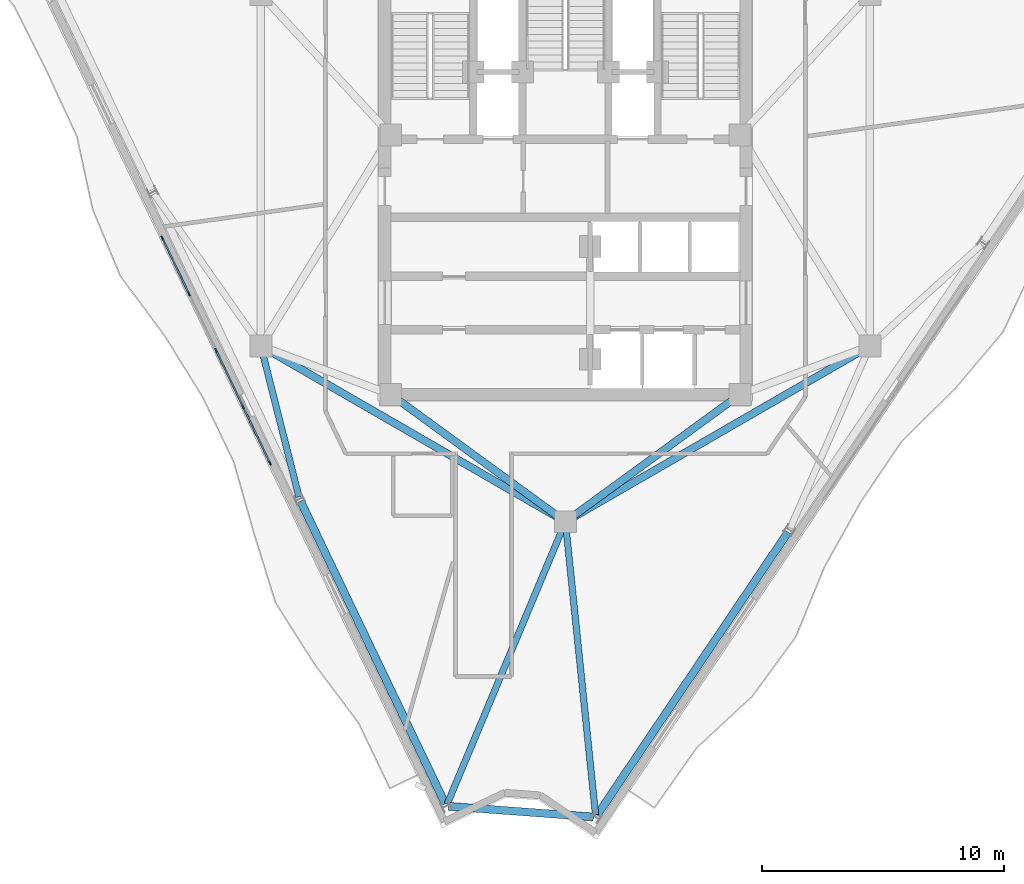
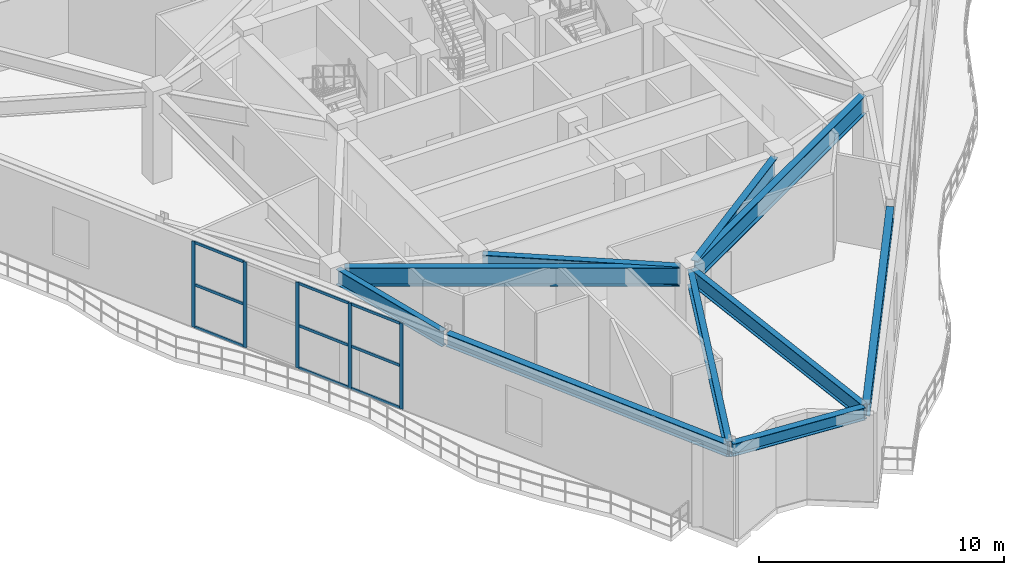
# One storey, part 4 of 15: 14 members, 10 beams, 1 element without a shape of its own.
"""IFC4 building model written with IfcOpenShell, lengths in metres."""

import ifcopenshell
import ifcopenshell.guid

model = None  # the IFC model being written
_history = None  # IfcOwnerHistory: only IFC2X3 demands one
_inside = {}  # id of a spatial element -> (the spatial element, [elements in it])
_under = {}  # id of a project, library or spatial element -> (it, [spatial elements below it])
_declared = {}  # id of a project -> (the project, [libraries it declares])
_typed = {}  # id of a type object -> (the type object, [elements of that type])
_made_of = {}  # id of a material, layer set ... -> (it, [elements and type objects made of it])


def new_model(schema):
    """Start an empty IFC model of exactly this schema.

    Asked for "IFC4X3", IfcOpenShell would pick the latest addendum, in which some entities
    have other attributes; the version numbers below select the first issue.
    IFC2X3 requires an IfcOwnerHistory on every rooted entity: one is made here for all.
    """
    global model, _history
    if schema == "IFC4X3":
        model = ifcopenshell.file(schema_version=(4, 3, 0, 0))
    else:
        model = ifcopenshell.file(schema=schema)
    _inside.clear()
    _under.clear()
    _declared.clear()
    _typed.clear()
    _made_of.clear()
    _history = None
    if model.schema == "IFC2X3":
        org = make("IfcOrganization", Name="unknown")
        user = make(
            "IfcPersonAndOrganization",
            ThePerson=make("IfcPerson", FamilyName="unknown"),
            TheOrganization=org,
        )
        app = make(
            "IfcApplication",
            ApplicationDeveloper=org,
            Version="unknown",
            ApplicationFullName="unknown",
            ApplicationIdentifier="unknown",
        )
        _history = make(
            "IfcOwnerHistory",
            OwningUser=user,
            OwningApplication=app,
            ChangeAction="ADDED",
            CreationDate=0,
        )
    return model


def make(cls, **values):
    """One entity of the class cls with the attributes given. An attribute that is None is left unset."""
    return model.create_entity(
        cls, **{name: value for name, value in values.items() if value is not None}
    )


def rooted(cls, **values):
    """An entity with a GlobalId (a new one), such as an element, a storey or a relation."""
    return make(cls, GlobalId=ifcopenshell.guid.new(), OwnerHistory=_history, **values)


def si_unit(unit_type, name, prefix=None):
    """IfcSIUnit, for example si_unit("LENGTHUNIT", "METRE", prefix="MILLI")."""
    return make("IfcSIUnit", UnitType=unit_type, Prefix=prefix, Name=name)


def assignment(units):
    """IfcUnitAssignment: the units of a project."""
    return None if units is None else make("IfcUnitAssignment", Units=units)


def point(xyz):
    """IfcCartesianPoint."""
    return None if xyz is None else make("IfcCartesianPoint", Coordinates=xyz)


def direction(xyz):
    """IfcDirection."""
    return None if xyz is None else make("IfcDirection", DirectionRatios=xyz)


def frame(location, z_axis=None, x_axis=None):
    """IfcAxis2Placement3D, a coordinate frame: its origin and axes. An axis left out is left unset."""
    return make(
        "IfcAxis2Placement3D",
        Location=point(location),
        Axis=direction(z_axis),
        RefDirection=direction(x_axis),
    )


def frame_2d(location, x_axis=None):
    """IfcAxis2Placement2D, a coordinate frame in the plane: its origin and x axis."""
    return make(
        "IfcAxis2Placement2D", Location=point(location), RefDirection=direction(x_axis)
    )


def origin():
    """The frame at (0, 0, 0) with its axes left unset."""
    return frame((0.0, 0.0, 0.0))


def origin_2d():
    """The frame at (0, 0) in the plane with its x axis left unset."""
    return frame_2d((0.0, 0.0))


def place(relative_to, where):
    """IfcLocalPlacement: puts the frame where relative to a parent placement (None: the world)."""
    return make(
        "IfcLocalPlacement", PlacementRelTo=relative_to, RelativePlacement=where
    )


def context(
    kind, dimensions, precision=None, world=None, true_north=None, identifier=None
):
    """IfcGeometricRepresentationContext, for example the 3D "Model" context."""
    return make(
        "IfcGeometricRepresentationContext",
        ContextIdentifier=identifier,
        ContextType=kind,
        CoordinateSpaceDimension=dimensions,
        Precision=precision,
        WorldCoordinateSystem=world,
        TrueNorth=true_north,
    )


def subcontext(parent, identifier, kind, view, scale=None):
    """IfcGeometricRepresentationSubContext, for example "Body" below "Model"."""
    return make(
        "IfcGeometricRepresentationSubContext",
        ContextIdentifier=identifier,
        ContextType=kind,
        ParentContext=parent,
        TargetScale=scale,
        TargetView=view,
    )


def project(units=None, contexts=None):
    """IfcProject with its units and contexts."""
    return rooted(
        "IfcProject",
        Name="project",
        RepresentationContexts=contexts,
        UnitsInContext=assignment(units),
    )


def spatial(cls, under=None, at=None, **own):
    """A site, building, storey or space (cls), placed at a placement, below another one or the project."""
    s = rooted(cls, ObjectPlacement=at, **own)
    if under is not None:
        _under.setdefault(under.id(), (under, []))[1].append(s)
    return s


def profile(cls, at=None, kind="AREA", **sizes):
    """A parametric profile (cls). Its sizes go by their IFC names, for example OverallWidth=200.0."""
    return make(cls, ProfileType=kind, Position=at, **sizes)


def rectangle(**sizes):
    """IfcRectangleProfileDef."""
    return profile("IfcRectangleProfileDef", **sizes)


def i_section(**sizes):
    """IfcIShapeProfileDef."""
    return profile("IfcIShapeProfileDef", **sizes)


def extrude(swept, where, along, depth):
    """IfcExtrudedAreaSolid: the profile swept, set in the frame where, extruded along a direction by depth."""
    return make(
        "IfcExtrudedAreaSolid",
        SweptArea=swept,
        Position=where,
        ExtrudedDirection=direction(along),
        Depth=depth,
    )


def shape(context_of_items, identifier, shape_type, items):
    """IfcShapeRepresentation: the items that make up one representation, for example the "Body"."""
    return make(
        "IfcShapeRepresentation",
        ContextOfItems=context_of_items,
        RepresentationIdentifier=identifier,
        RepresentationType=shape_type,
        Items=items,
    )


def material(Name=None, Category=None):
    """IfcMaterial."""
    return make("IfcMaterial", Name=Name, Category=Category)


def layer(
    of_material, thickness, ventilated=None, Name=None, Category=None, Priority=None
):
    """IfcMaterialLayer: one layer of a wall or slab, of a material (None: an air gap)."""
    return make(
        "IfcMaterialLayer",
        Material=of_material,
        LayerThickness=thickness,
        IsVentilated=ventilated,
        Name=Name,
        Category=Category,
        Priority=Priority,
    )


def layer_set(layers, Name=None):
    """IfcMaterialLayerSet."""
    return make("IfcMaterialLayerSet", MaterialLayers=layers, LayerSetName=Name)


def material_profile(
    of_material, cross_section, Name=None, Category=None, Priority=None
):
    """IfcMaterialProfile: a cross section and its material."""
    return make(
        "IfcMaterialProfile",
        Name=Name,
        Material=of_material,
        Profile=cross_section,
        Priority=Priority,
        Category=Category,
    )


def profile_set(profiles, Name=None, composite=None):
    """IfcMaterialProfileSet."""
    return make(
        "IfcMaterialProfileSet",
        Name=Name,
        MaterialProfiles=profiles,
        CompositeProfile=composite,
    )


def made_of(thing, what):
    """Note that an element or type object is made of a material, layer set ...; save() writes the relation."""
    if what is not None:
        _made_of.setdefault(what.id(), (what, []))[1].append(thing)
    return thing


def type_object(cls, material=None, **own):
    """A type object (cls), such as IfcWallType, which elements share."""
    return made_of(rooted(cls, **own), material)


def element(
    cls,
    number,
    at=None,
    inside=None,
    cuts=None,
    type_object=None,
    material=None,
    context=None,
    identifier="Body",
    shape_type=None,
    held_by="IfcProductDefinitionShape",
    body=None,
    shapes=None,
    **own,
):
    """One element of the class cls, such as IfcWall. Its Tag is "e" and its number.

    at: its placement. inside: the storey or other place that contains it. cuts: it is an
    opening in that element (IfcRelVoidsElement). A single representation is given by context,
    identifier, shape_type and body (its items); several are given by shapes. held_by: the class
    of the entity that holds the representations. save() writes the other relations.
    """
    e = rooted(cls, Tag="e%d" % number, ObjectPlacement=at, **own)
    if body is not None:
        shapes = [shape(context, identifier, shape_type, body)]
    if shapes is not None:
        e.Representation = make(held_by, Representations=shapes)
    if inside is not None:
        _inside.setdefault(inside.id(), (inside, []))[1].append(e)
    if cuts is not None:
        rooted(
            "IfcRelVoidsElement", RelatingBuildingElement=cuts, RelatedOpeningElement=e
        )
    if type_object is not None:
        _typed.setdefault(type_object.id(), (type_object, []))[1].append(e)
    return made_of(e, material)


def aggregate(whole, parts):
    """IfcRelAggregates: a whole, such as a stair, and the parts it consists of."""
    return rooted("IfcRelAggregates", RelatingObject=whole, RelatedObjects=parts)


def save(model, path):
    """Write the relations noted so far, then the file.

    IfcRelAggregates (storeys below a building ...), IfcRelContainedInSpatialStructure (elements
    in a storey), IfcRelDefinesByType, IfcRelAssociatesMaterial and IfcRelDeclares: one each for
    every whole, place, type object, material and project.
    """
    for whole, parts in _under.values():
        aggregate(whole, parts)
    for where, things in _inside.values():
        rooted(
            "IfcRelContainedInSpatialStructure",
            RelatedElements=things,
            RelatingStructure=where,
        )
    for kind, things in _typed.values():
        rooted("IfcRelDefinesByType", RelatedObjects=things, RelatingType=kind)
    for what, things in _made_of.values():
        rooted("IfcRelAssociatesMaterial", RelatedObjects=things, RelatingMaterial=what)
    for by, libraries in _declared.values():
        rooted("IfcRelDeclares", RelatingContext=by, RelatedDefinitions=libraries)
    model.write(path)


model = new_model("IFC4")

# Units and contexts
model_context = context("Model", 3, precision=1e-05, world=origin(), true_north=direction((0.0, 1.0)))
body_context = subcontext(model_context, "Body", "Model", "MODEL_VIEW")
ifc_project = project(units=[si_unit("LENGTHUNIT", "METRE"), si_unit("AREAUNIT", "SQUARE_METRE"), si_unit("VOLUMEUNIT", "CUBIC_METRE"), si_unit("PLANEANGLEUNIT", "RADIAN"), si_unit("MASSUNIT", "GRAM", prefix="KILO")], contexts=[model_context])

# Site, building, storey
site_placement = place(None, origin())
site = spatial("IfcSite", under=ifc_project, at=site_placement, CompositionType="ELEMENT")
building_placement = place(site_placement, origin())
building = spatial("IfcBuilding", under=site, at=building_placement, Name="Apsidion Concourse Tower", CompositionType="ELEMENT")
storey_placement = place(building_placement, frame((0.0, 0.0, 318.800048828125)))
storey = spatial("IfcBuildingStorey", under=building, at=storey_placement, Name="L75", CompositionType="ELEMENT", Elevation=318.800048828125)

# Beams
ifc_material_1 = material(Name="Structural steel ASTM A992 Grade 50", Category="steel")
ifc_material_profile_1 = material_profile(ifc_material_1, i_section(OverallWidth=0.31005859375, OverallDepth=0.931884765625, WebThickness=0.02099609375, FlangeThickness=0.034423828125, at=origin_2d()), Name="W36X210")
ifc_profile_set_1 = profile_set([ifc_material_profile_1], Name="Structural steel ASTM A992 Grade 50")
beam_type_1 = type_object("IfcBeamType", Name="BM-G-W36", PredefinedType="USERDEFINED", material=ifc_profile_set_1)
for number, where, z_axis, x_axis, name in (
    (1, (-0.3232421875, -14.264404296875, 3.85400390625), (-0.807993498909, 0.589191399905, 0.0), (-0.589191399905, -0.807993498909, 0.0), "L75 Core Coupling Girder IC6-SC1"),
    (2, (0.3232421875, -14.264404296875, 3.85400390625), (0.807993498909, 0.589191399905, 0.0), (-0.589191399905, 0.807993498909, 0.0), "L75 Core Coupling Girder IC6-SC2"),
):
    element("IfcBeam", number, at=place(storey_placement, frame(where, z_axis=z_axis, x_axis=x_axis)), inside=storey, type_object=beam_type_1, Name=name, ObjectType="GIRDER", PredefinedType="USERDEFINED", context=body_context, shape_type="SweptSolid", body=[
        extrude(i_section(OverallWidth=0.31005859375, OverallDepth=0.931884765625, WebThickness=0.02099609375, FlangeThickness=0.034423828125, at=origin_2d()), origin(), (0.0, 0.0, 1.0), 8.11083984375),
    ])
for number, where, z_axis, x_axis, name in (
    (3, (12.213623046875, -7.449951171875, 3.85400390625), (-0.866070471464, -0.499921932364, 0.0), (0.499921932364, -0.866070471464, 0.0), "L75 Core Coupling Girder IC2-IC6"),
    (4, (-0.346435546875, -14.300048828125, 3.85400390625), (-0.866070471464, 0.499921932364, 0.0), (-0.499921932364, -0.866070471464, 0.0), "L75 Core Coupling Girder IC6-IC1"),
):
    element("IfcBeam", number, at=place(storey_placement, frame(where, z_axis=z_axis, x_axis=x_axis)), inside=storey, type_object=beam_type_1, Name=name, ObjectType="GIRDER", PredefinedType="USERDEFINED", context=body_context, shape_type="SweptSolid", body=[
        extrude(i_section(OverallWidth=0.31005859375, OverallDepth=0.931884765625, WebThickness=0.02099609375, FlangeThickness=0.034423828125, at=origin_2d()), origin(), (0.0, 0.0, 1.0), 13.702392578125),
    ])
ifc_material_profile_2 = material_profile(ifc_material_1, i_section(OverallWidth=0.324951171875, OverallDepth=0.616943359375, WebThickness=0.013916015625, FlangeThickness=0.021484375, at=origin_2d()), Name="W24X117")
ifc_profile_set_2 = profile_set([ifc_material_profile_2], Name="Structural steel ASTM A992 Grade 50")
beam_type_2 = type_object("IfcBeamType", Name="BM-SP-W24", PredefinedType="SPANDREL", material=ifc_profile_set_2)
beam_1_placement = place(storey_placement, frame((-10.92236328125, -13.655029296875, 4.011474609375), z_axis=(0.431360581796, -0.902179609874, 0.0), x_axis=(0.902179609874, 0.431360581796, 0.0)))
element("IfcBeam", 5, at=beam_1_placement, inside=storey, type_object=beam_type_2, Name="L75 Perimeter Spandrel Girder SP-03", PredefinedType="SPANDREL", context=body_context, shape_type="SweptSolid", body=[
    extrude(i_section(OverallWidth=0.324951171875, OverallDepth=0.616943359375, WebThickness=0.013916015625, FlangeThickness=0.021484375, at=origin_2d()), origin(), (0.0, 0.0, 1.0), 13.834716796875),
])
beam_2_placement = place(storey_placement, frame((-4.81201171875, -26.234130859375, 4.011474609375), z_axis=(0.997286428853, -0.073619147134, 0.0), x_axis=(0.073619147134, 0.997286428853, 0.0)))
element("IfcBeam", 6, at=beam_2_placement, inside=storey, type_object=beam_type_2, Name="L75 Perimeter Spandrel Girder SP-04", PredefinedType="SPANDREL", context=body_context, shape_type="SweptSolid", body=[
    extrude(i_section(OverallWidth=0.324951171875, OverallDepth=0.616943359375, WebThickness=0.013916015625, FlangeThickness=0.021484375, at=origin_2d()), origin(), (0.0, 0.0, 1.0), 5.982421875),
])
beam_3_placement = place(storey_placement, frame((1.309814453125, -26.59912109375, 4.011474609375), z_axis=(0.559201815781, 0.829031561056, 0.0), x_axis=(-0.829031561056, 0.559201815781, 0.0)))
element("IfcBeam", 7, at=beam_3_placement, inside=storey, type_object=beam_type_2, Name="L75 Perimeter Spandrel Girder SP-05", PredefinedType="SPANDREL", context=body_context, shape_type="SweptSolid", body=[
    extrude(i_section(OverallWidth=0.324951171875, OverallDepth=0.616943359375, WebThickness=0.013916015625, FlangeThickness=0.021484375, at=origin_2d()), origin(), (0.0, 0.0, 1.0), 14.07958984375),
])
ifc_material_profile_3 = material_profile(ifc_material_1, i_section(OverallWidth=0.26806640625, OverallDepth=0.77001953125, WebThickness=0.015625, FlangeThickness=0.025390625, at=origin_2d()), Name="W30X132")
ifc_profile_set_3 = profile_set([ifc_material_profile_3], Name="Structural steel ASTM A992 Grade 50")
beam_type_3 = type_object("IfcBeamType", Name="BM-SP-W30", PredefinedType="SPANDREL", material=ifc_profile_set_3)
beam_4_placement = place(storey_placement, frame((-12.506103515625, -7.46337890625, 3.93505859375), z_axis=(0.244807492941, -0.969571705136, 0.0), x_axis=(0.969571705136, 0.244807492941, 0.0)))
element("IfcBeam", 8, at=beam_4_placement, inside=storey, type_object=beam_type_3, Name="L75 Radial Floor Girder RAD-03", PredefinedType="SPANDREL", context=body_context, shape_type="SweptSolid", body=[
    extrude(i_section(OverallWidth=0.26806640625, OverallDepth=0.77001953125, WebThickness=0.015625, FlangeThickness=0.025390625, at=origin_2d()), origin(), (0.0, 0.0, 1.0), 6.193115234375),
])
beam_5_placement = place(storey_placement, frame((-0.0849609375, -14.702880859375, 3.93505859375), z_axis=(-0.386326743156, -0.922361993755, 0.0), x_axis=(0.922361993755, -0.386326743156, 0.0)))
element("IfcBeam", 9, at=beam_5_placement, inside=storey, type_object=beam_type_3, Name="L75 Radial Floor Girder RAD-04", PredefinedType="SPANDREL", context=body_context, shape_type="SweptSolid", body=[
    extrude(i_section(OverallWidth=0.26806640625, OverallDepth=0.77001953125, WebThickness=0.015625, FlangeThickness=0.025390625, at=origin_2d()), origin(), (0.0, 0.0, 1.0), 12.393798828125),
])
beam_6_placement = place(storey_placement, frame((0.0224609375, -14.71875, 3.93505859375), z_axis=(0.10241374793, -0.994741888248, 0.0), x_axis=(0.994741888248, 0.10241374793, 0.0)))
element("IfcBeam", 10, at=beam_6_placement, inside=storey, type_object=beam_type_3, Name="L75 Radial Floor Girder RAD-05", PredefinedType="SPANDREL", context=body_context, shape_type="SweptSolid", body=[
    extrude(i_section(OverallWidth=0.26806640625, OverallDepth=0.77001953125, WebThickness=0.015625, FlangeThickness=0.025390625, at=origin_2d()), origin(), (0.0, 0.0, 1.0), 11.926513671875),
])

# Curtain wall, members
ifc_material_2 = material(Name="Insulated laminated low-E glass", Category="glass")
ifc_layer = layer(ifc_material_2, 0.22998046875)
ifc_layer_set = layer_set([ifc_layer], Name="Insulated laminated low-E glass")
curtain_wall_type = type_object("IfcCurtainWallType", Name="CW-SYS-05", PredefinedType="NOTDEFINED", material=ifc_layer_set)
curtain_wall_placement = place(storey_placement, origin())
curtain_wall = element("IfcCurtainWall", 11, at=curtain_wall_placement, inside=storey, type_object=curtain_wall_type, Name="L75 Sky Observatory Curtain Wall 9", PredefinedType="NOTDEFINED")
ifc_material_3 = material(Name="Anodised aluminium EN AW-6063 T6", Category="aluminium")
ifc_material_profile_4 = material_profile(ifc_material_3, rectangle(XDim=0.06494140625, YDim=0.179931640625, at=origin_2d()), Name="ALU MULLION 65x180")
ifc_profile_set_4 = profile_set([ifc_material_profile_4], Name="Anodised aluminium EN AW-6063 T6")
member_type_1 = type_object("IfcMemberType", Name="CWM-65X180", PredefinedType="MULLION", material=ifc_profile_set_4)
member_1_placement = place(storey_placement, frame((-12.18310546875, -12.081298828125, 0.0), z_axis=(0.0, 0.0, 1.0), x_axis=(-0.902067584544, -0.431594801771, 0.0)))
member_1 = element("IfcMember", 12, at=member_1_placement, type_object=member_type_1, Name="CW-05 mullion 1", PredefinedType="MULLION", context=body_context, shape_type="SweptSolid", body=[
    extrude(rectangle(XDim=0.06494140625, YDim=0.179931640625, at=origin_2d()), origin(), (0.0, 0.0, 1.0), 4.27001953125),
])
member_2_placement = place(storey_placement, frame((-13.287353515625, -9.7734375, 0.0), z_axis=(0.0, 0.0, 1.0), x_axis=(-0.902067584544, -0.431594801771, 0.0)))
member_2 = element("IfcMember", 13, at=member_2_placement, type_object=member_type_1, Name="CW-05 mullion 2", PredefinedType="MULLION", context=body_context, shape_type="SweptSolid", body=[
    extrude(rectangle(XDim=0.06494140625, YDim=0.179931640625, at=origin_2d()), origin(), (0.0, 0.0, 1.0), 4.27001953125),
])
member_3_placement = place(storey_placement, frame((-14.405517578125, -7.436279296875, 0.0), z_axis=(0.0, 0.0, 1.0), x_axis=(-0.902067584544, -0.431594801771, 0.0)))
member_3 = element("IfcMember", 14, at=member_3_placement, type_object=member_type_1, Name="CW-05 mullion 3", PredefinedType="MULLION", context=body_context, shape_type="SweptSolid", body=[
    extrude(rectangle(XDim=0.06494140625, YDim=0.179931640625, at=origin_2d()), origin(), (0.0, 0.0, 1.0), 4.27001953125),
])
member_4_placement = place(storey_placement, frame((-15.523681640625, -5.099365234375, 0.0), z_axis=(0.0, 0.0, 1.0), x_axis=(-0.902067584544, -0.431594801771, 0.0)))
member_4 = element("IfcMember", 15, at=member_4_placement, type_object=member_type_1, Name="CW-05 mullion 4", PredefinedType="MULLION", context=body_context, shape_type="SweptSolid", body=[
    extrude(rectangle(XDim=0.06494140625, YDim=0.179931640625, at=origin_2d()), origin(), (0.0, 0.0, 1.0), 4.27001953125),
])
member_5_placement = place(storey_placement, frame((-16.6279296875, -2.79150390625, 0.0), z_axis=(0.0, 0.0, 1.0), x_axis=(-0.902067584544, -0.431594801771, 0.0)))
member_5 = element("IfcMember", 16, at=member_5_placement, type_object=member_type_1, Name="CW-05 mullion 5", PredefinedType="MULLION", context=body_context, shape_type="SweptSolid", body=[
    extrude(rectangle(XDim=0.06494140625, YDim=0.179931640625, at=origin_2d()), origin(), (0.0, 0.0, 1.0), 4.27001953125),
])
ifc_material_profile_5 = material_profile(ifc_material_3, rectangle(XDim=0.06494140625, YDim=0.139892578125, at=origin_2d()), Name="ALU TRANSOM 65x140")
ifc_profile_set_5 = profile_set([ifc_material_profile_5], Name="Anodised aluminium EN AW-6063 T6")
member_type_2 = type_object("IfcMemberType", Name="CWT-65X140", PredefinedType="USERDEFINED", material=ifc_profile_set_5)
member_6_placement = place(storey_placement, frame((-12.197265625, -12.0517578125, 0.032470703125), z_axis=(-0.431635663295, 0.902048033184, 0.0), x_axis=(-0.902048033184, -0.431635663295, 0.0)))
member_6 = element("IfcMember", 17, at=member_6_placement, type_object=member_type_2, Name="CW-05 transom 1.1", ObjectType="TRANSOM", PredefinedType="USERDEFINED", context=body_context, shape_type="SweptSolid", body=[
    extrude(rectangle(XDim=0.06494140625, YDim=0.139892578125, at=origin_2d()), origin(), (0.0, 0.0, 1.0), 2.4931640625),
])
member_7_placement = place(storey_placement, frame((-12.197265625, -12.0517578125, 2.135009765625), z_axis=(-0.431635663295, 0.902048033184, 0.0), x_axis=(-0.902048033184, -0.431635663295, 0.0)))
member_7 = element("IfcMember", 18, at=member_7_placement, type_object=member_type_2, Name="CW-05 transom 1.2", ObjectType="TRANSOM", PredefinedType="USERDEFINED", context=body_context, shape_type="SweptSolid", body=[
    extrude(rectangle(XDim=0.06494140625, YDim=0.139892578125, at=origin_2d()), origin(), (0.0, 0.0, 1.0), 2.4931640625),
])
member_8_placement = place(storey_placement, frame((-12.197265625, -12.0517578125, 4.237548828125), z_axis=(-0.431635663295, 0.902048033184, 0.0), x_axis=(-0.902048033184, -0.431635663295, 0.0)))
member_8 = element("IfcMember", 19, at=member_8_placement, type_object=member_type_2, Name="CW-05 transom 1.3", ObjectType="TRANSOM", PredefinedType="USERDEFINED", context=body_context, shape_type="SweptSolid", body=[
    extrude(rectangle(XDim=0.06494140625, YDim=0.139892578125, at=origin_2d()), origin(), (0.0, 0.0, 1.0), 2.4931640625),
])
member_9_placement = place(storey_placement, frame((-13.301513671875, -9.744140625, 0.032470703125), z_axis=(-0.431564937421, 0.902081872553, 0.0), x_axis=(-0.902081872553, -0.431564937421, 0.0)))
member_9 = element("IfcMember", 20, at=member_9_placement, type_object=member_type_2, Name="CW-05 transom 2.1", ObjectType="TRANSOM", PredefinedType="USERDEFINED", context=body_context, shape_type="SweptSolid", body=[
    extrude(rectangle(XDim=0.06494140625, YDim=0.139892578125, at=origin_2d()), origin(), (0.0, 0.0, 1.0), 2.52587890625),
])
member_10_placement = place(storey_placement, frame((-13.301513671875, -9.744140625, 2.135009765625), z_axis=(-0.431564937421, 0.902081872553, 0.0), x_axis=(-0.902081872553, -0.431564937421, 0.0)))
member_10 = element("IfcMember", 21, at=member_10_placement, type_object=member_type_2, Name="CW-05 transom 2.2", ObjectType="TRANSOM", PredefinedType="USERDEFINED", context=body_context, shape_type="SweptSolid", body=[
    extrude(rectangle(XDim=0.06494140625, YDim=0.139892578125, at=origin_2d()), origin(), (0.0, 0.0, 1.0), 2.52587890625),
])
member_11_placement = place(storey_placement, frame((-13.301513671875, -9.744140625, 4.237548828125), z_axis=(-0.431564937421, 0.902081872553, 0.0), x_axis=(-0.902081872553, -0.431564937421, 0.0)))
member_11 = element("IfcMember", 22, at=member_11_placement, type_object=member_type_2, Name="CW-05 transom 2.3", ObjectType="TRANSOM", PredefinedType="USERDEFINED", context=body_context, shape_type="SweptSolid", body=[
    extrude(rectangle(XDim=0.06494140625, YDim=0.139892578125, at=origin_2d()), origin(), (0.0, 0.0, 1.0), 2.52587890625),
])
member_12_placement = place(storey_placement, frame((-15.537841796875, -5.070068359375, 0.032470703125), z_axis=(-0.431517861529, 0.902104392618, 0.0), x_axis=(-0.902104392618, -0.431517861529, 0.0)))
member_12 = element("IfcMember", 23, at=member_12_placement, type_object=member_type_2, Name="CW-05 transom 4.1", ObjectType="TRANSOM", PredefinedType="USERDEFINED", context=body_context, shape_type="SweptSolid", body=[
    extrude(rectangle(XDim=0.06494140625, YDim=0.139892578125, at=origin_2d()), origin(), (0.0, 0.0, 1.0), 2.493408203125),
])
member_13_placement = place(storey_placement, frame((-15.537841796875, -5.070068359375, 2.135009765625), z_axis=(-0.431517861529, 0.902104392618, 0.0), x_axis=(-0.902104392618, -0.431517861529, 0.0)))
member_13 = element("IfcMember", 24, at=member_13_placement, type_object=member_type_2, Name="CW-05 transom 4.2", ObjectType="TRANSOM", PredefinedType="USERDEFINED", context=body_context, shape_type="SweptSolid", body=[
    extrude(rectangle(XDim=0.06494140625, YDim=0.139892578125, at=origin_2d()), origin(), (0.0, 0.0, 1.0), 2.493408203125),
])
member_14_placement = place(storey_placement, frame((-15.537841796875, -5.070068359375, 4.237548828125), z_axis=(-0.431517861529, 0.902104392618, 0.0), x_axis=(-0.902104392618, -0.431517861529, 0.0)))
member_14 = element("IfcMember", 25, at=member_14_placement, type_object=member_type_2, Name="CW-05 transom 4.3", ObjectType="TRANSOM", PredefinedType="USERDEFINED", context=body_context, shape_type="SweptSolid", body=[
    extrude(rectangle(XDim=0.06494140625, YDim=0.139892578125, at=origin_2d()), origin(), (0.0, 0.0, 1.0), 2.493408203125),
])
aggregate(curtain_wall, [member_1, member_2, member_3, member_4, member_5, member_6, member_7, member_8, member_9, member_10, member_11, member_12, member_13, member_14])

save(model, "model.ifc")
